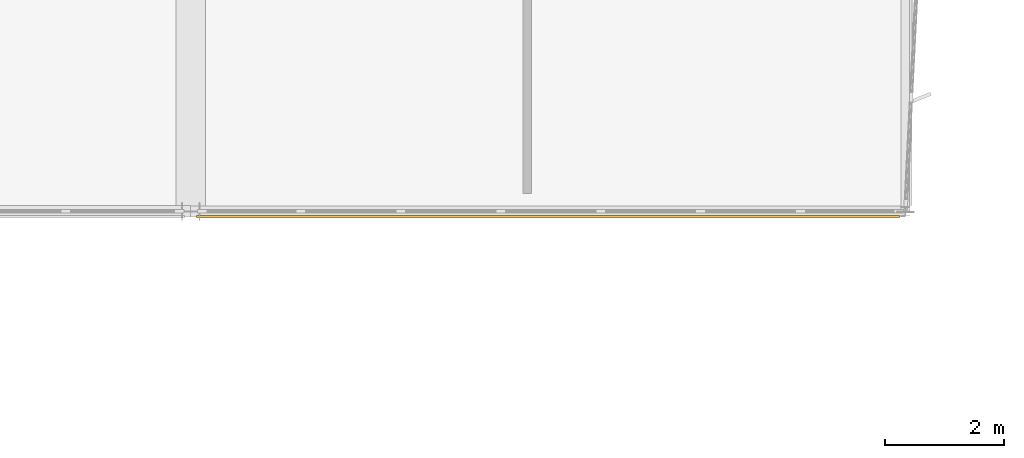
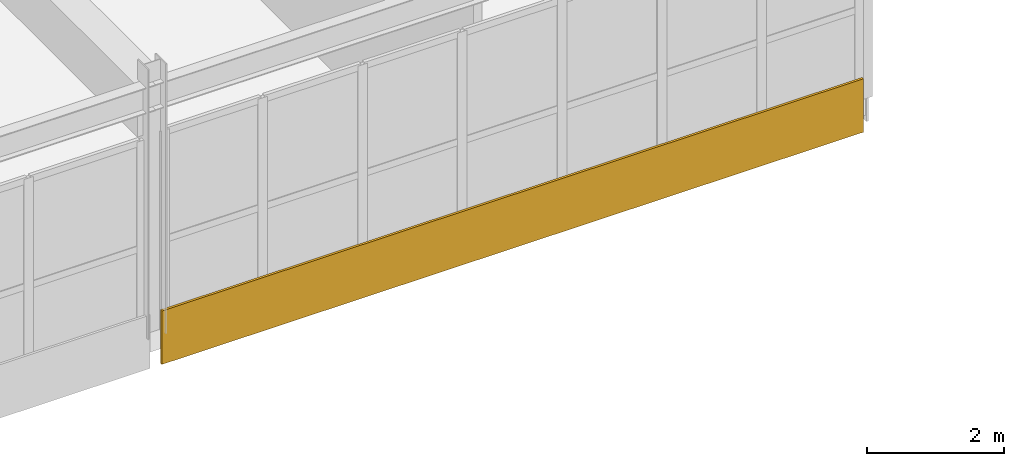
# One storey, part 222 of 226: 1 covering.
"""IFC4 building model written with IfcOpenShell, lengths in metres."""

from ifc_helpers import new_model, si_unit, direction, frame, origin, origin_2d, place, context, subcontext, project, spatial, rectangle, extrude, material, layer, layer_set, type_object, element, save


model = new_model("IFC4")

# Units and contexts
model_context = context("Model", 3, precision=1e-05, world=origin(), true_north=direction((0.0, 1.0)))
body_context = subcontext(model_context, "Body", "Model", "MODEL_VIEW")
ifc_project = project(units=[si_unit("LENGTHUNIT", "METRE"), si_unit("AREAUNIT", "SQUARE_METRE"), si_unit("VOLUMEUNIT", "CUBIC_METRE"), si_unit("PLANEANGLEUNIT", "RADIAN"), si_unit("MASSUNIT", "GRAM", prefix="KILO")], contexts=[model_context])

# Site, building, storey
site_placement = place(None, origin())
site = spatial("IfcSite", under=ifc_project, at=site_placement, CompositionType="ELEMENT")
building_placement = place(site_placement, origin())
building = spatial("IfcBuilding", under=site, at=building_placement, Name="Tarnwether General Hospital", CompositionType="ELEMENT")
storey_placement = place(building_placement, frame((0.0, 0.0, 4.800048828125)))
storey = spatial("IfcBuildingStorey", under=building, at=storey_placement, Name="L01", CompositionType="ELEMENT", Elevation=4.800048828125)

# Covering
ifc_material = material(Name="Folded zinc-titanium cladding")
ifc_layer = layer(ifc_material, 0.0400390625)
ifc_layer_set = layer_set([ifc_layer], Name="Folded zinc-titanium cladding")
covering_type = type_object("IfcCoveringType", Name="CV-CLD-ZNC", PredefinedType="CLADDING", material=ifc_layer_set)
covering_placement = place(storey_placement, frame((186.0, 81.510009765625, -0.55517578125), z_axis=(0.0, 0.0, 1.0), x_axis=(1.0, 0.0, 0.0)))
element("IfcCovering", 1, at=covering_placement, inside=storey, type_object=covering_type, Name="Deconstructivist Faceted Zinc Spandrel Blade 012", PredefinedType="CLADDING", context=body_context, shape_type="SweptSolid", body=[
    extrude(rectangle(XDim=11.800048828125, YDim=0.0400390625, at=origin_2d()), origin(), (0.0, 0.0, 1.0), 0.949951171875),
])

save(model, "model.ifc")
